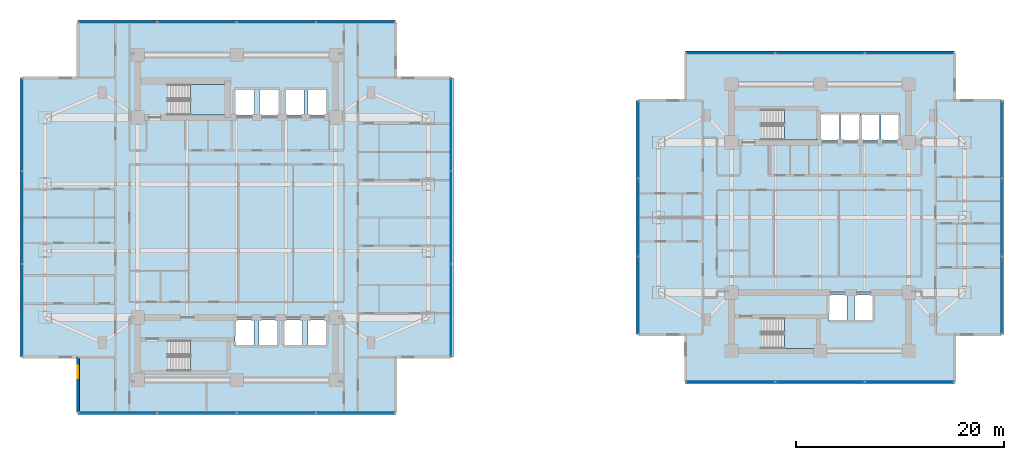
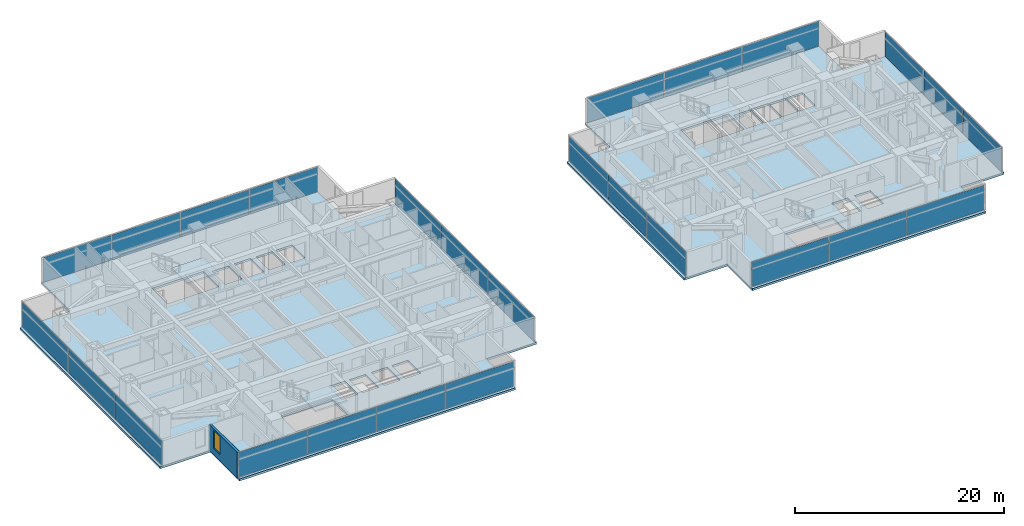
# One storey, part 13 of 27: 26 plates, 6 slabs, 1 wall, 1 window, 1 opening, 12 elements without a shape of their own.
"""IFC4 building model written with IfcOpenShell, lengths in metres."""

from ifc_helpers import new_model, si_unit, direction, frame, frame_2d, origin, origin_2d, place, context, subcontext, project, spatial, polyline, rectangle, outline, extrude, material, layer, layer_set, type_object, element, fill, aggregate, save


model = new_model("IFC4")

# Units and contexts
model_context = context("Model", 3, precision=1e-05, world=origin(), true_north=direction((0.0, 1.0)))
body_context = subcontext(model_context, "Body", "Model", "MODEL_VIEW")
ifc_project = project(units=[si_unit("LENGTHUNIT", "METRE"), si_unit("AREAUNIT", "SQUARE_METRE"), si_unit("VOLUMEUNIT", "CUBIC_METRE"), si_unit("PLANEANGLEUNIT", "RADIAN"), si_unit("MASSUNIT", "GRAM", prefix="KILO")], contexts=[model_context])

# Site, building, storey
site_placement = place(None, origin())
site = spatial("IfcSite", under=ifc_project, at=site_placement, CompositionType="ELEMENT")
building_placement = place(site_placement, origin())
building = spatial("IfcBuilding", under=site, at=building_placement, Name="Mirazonda Arch Towers", CompositionType="ELEMENT")
storey_placement = place(building_placement, frame((0.0, 0.0, 52.10009765625)))
storey = spatial("IfcBuildingStorey", under=building, at=storey_placement, Name="L14", CompositionType="ELEMENT", Elevation=52.10009765625)

# Curtain wall, plates
ifc_material_1 = material(Name="Anodised Aluminium and Low-E Glass", Category="aluminium")
curtain_wall_type = type_object("IfcCurtainWallType", Name="CW-HTL-UNIT", PredefinedType="NOTDEFINED", material=ifc_material_1)
curtain_wall_1_placement = place(storey_placement, origin())
curtain_wall_1 = element("IfcCurtainWall", 1, at=curtain_wall_1_placement, inside=storey, type_object=curtain_wall_type, Name="L14 T1 S Facade CW-L14-T1-S", PredefinedType="NOTDEFINED")
ifc_material_2 = material(Name="Insulated Low-E Solar Glass", Category="glass")
ifc_layer_1 = layer(ifc_material_2, 0.035888671875, Name="PAN-CW-HTL-UNIT")
ifc_layer_set_1 = layer_set([ifc_layer_1], Name="Insulated Low-E Solar Glass")
plate_type = type_object("IfcPlateType", Name="PAN-CW-HTL-UNIT", PredefinedType="CURTAIN_PANEL", material=ifc_layer_set_1)
plate_1_placement = place(storey_placement, frame((31.9111328125, 9.260009765625, 0.0751953125), z_axis=(0.0, 0.0, 1.0), x_axis=(-1.0, 0.0, 0.0)))
plate_1 = element("IfcPlate", 2, at=plate_1_placement, type_object=plate_type, Name="CW-112 panel 1.1", PredefinedType="CURTAIN_PANEL", context=body_context, shape_type="SweptSolid", body=[
    extrude(rectangle(XDim=7.507568359375, YDim=0.035888671875, at=origin_2d()), origin(), (0.0, 0.0, 1.0), 2.889892578125),
])
plate_2_placement = place(storey_placement, frame((24.31005859375, 9.260009765625, 0.0751953125), z_axis=(0.0, 0.0, 1.0), x_axis=(-1.0, 0.0, 0.0)))
plate_2 = element("IfcPlate", 3, at=plate_2_placement, type_object=plate_type, Name="CW-112 panel 2.1", PredefinedType="CURTAIN_PANEL", context=body_context, shape_type="SweptSolid", body=[
    extrude(rectangle(XDim=7.544921875, YDim=0.035888671875, at=origin_2d()), origin(), (0.0, 0.0, 1.0), 2.889892578125),
])
plate_3_placement = place(storey_placement, frame((16.68994140625, 9.260009765625, 0.0751953125), z_axis=(0.0, 0.0, 1.0), x_axis=(-1.0, 0.0, 0.0)))
plate_3 = element("IfcPlate", 4, at=plate_3_placement, type_object=plate_type, Name="CW-112 panel 3.1", PredefinedType="CURTAIN_PANEL", context=body_context, shape_type="SweptSolid", body=[
    extrude(rectangle(XDim=7.544921875, YDim=0.035888671875, at=origin_2d()), origin(), (0.0, 0.0, 1.0), 2.889892578125),
])
plate_4_placement = place(storey_placement, frame((9.0888671875, 9.260009765625, 0.0751953125), z_axis=(0.0, 0.0, 1.0), x_axis=(-1.0, 0.0, 0.0)))
plate_4 = element("IfcPlate", 5, at=plate_4_placement, type_object=plate_type, Name="CW-112 panel 4.1", PredefinedType="CURTAIN_PANEL", context=body_context, shape_type="SweptSolid", body=[
    extrude(rectangle(XDim=7.507568359375, YDim=0.035888671875, at=origin_2d()), origin(), (0.0, 0.0, 1.0), 2.889892578125),
])
aggregate(curtain_wall_1, [plate_1, plate_2, plate_3, plate_4])

curtain_wall_2_placement = place(storey_placement, origin())
curtain_wall_2 = element("IfcCurtainWall", 6, at=curtain_wall_2_placement, inside=storey, type_object=curtain_wall_type, Name="L14 T1 E Facade CW-L14-T1-E", PredefinedType="NOTDEFINED")
plate_5_placement = place(storey_placement, frame((41.080078125, 19.08544921875, 0.0751953125), z_axis=(0.0, 0.0, 1.0), x_axis=(0.0, 1.0, 0.0)))
plate_5 = element("IfcPlate", 7, at=plate_5_placement, type_object=plate_type, Name="CW-112 panel 1.1", PredefinedType="CURTAIN_PANEL", context=body_context, shape_type="SweptSolid", body=[
    extrude(rectangle(XDim=8.82080078125, YDim=0.035888671875, at=origin_2d()), origin(), (0.0, 0.0, 1.0), 2.889892578125),
])
plate_6_placement = place(storey_placement, frame((41.080078125, 28.0, 0.0751953125), z_axis=(0.0, 0.0, 1.0), x_axis=(0.0, 1.0, 0.0)))
plate_6 = element("IfcPlate", 8, at=plate_6_placement, type_object=plate_type, Name="CW-112 panel 2.1", PredefinedType="CURTAIN_PANEL", context=body_context, shape_type="SweptSolid", body=[
    extrude(rectangle(XDim=8.8583984375, YDim=0.035888671875, at=origin_2d()), origin(), (0.0, 0.0, 1.0), 2.889892578125),
])
plate_7_placement = place(storey_placement, frame((41.080078125, 36.91455078125, 0.0751953125), z_axis=(0.0, 0.0, 1.0), x_axis=(0.0, 1.0, 0.0)))
plate_7 = element("IfcPlate", 9, at=plate_7_placement, type_object=plate_type, Name="CW-112 panel 3.1", PredefinedType="CURTAIN_PANEL", context=body_context, shape_type="SweptSolid", body=[
    extrude(rectangle(XDim=8.82080078125, YDim=0.035888671875, at=origin_2d()), origin(), (0.0, 0.0, 1.0), 2.889892578125),
])
aggregate(curtain_wall_2, [plate_5, plate_6, plate_7])

curtain_wall_3_placement = place(storey_placement, origin())
curtain_wall_3 = element("IfcCurtainWall", 10, at=curtain_wall_3_placement, inside=storey, type_object=curtain_wall_type, Name="L14 T1 N Facade CW-L14-T1-N", PredefinedType="NOTDEFINED")
plate_8_placement = place(storey_placement, frame((9.0888671875, 46.739990234375, 0.0751953125), z_axis=(0.0, 0.0, 1.0), x_axis=(1.0, 0.0, 0.0)))
plate_8 = element("IfcPlate", 11, at=plate_8_placement, type_object=plate_type, Name="CW-112 panel 1.1", PredefinedType="CURTAIN_PANEL", context=body_context, shape_type="SweptSolid", body=[
    extrude(rectangle(XDim=7.507568359375, YDim=0.035888671875, at=origin_2d()), origin(), (0.0, 0.0, 1.0), 2.889892578125),
])
plate_9_placement = place(storey_placement, frame((16.68994140625, 46.739990234375, 0.0751953125), z_axis=(0.0, 0.0, 1.0), x_axis=(1.0, 0.0, 0.0)))
plate_9 = element("IfcPlate", 12, at=plate_9_placement, type_object=plate_type, Name="CW-112 panel 2.1", PredefinedType="CURTAIN_PANEL", context=body_context, shape_type="SweptSolid", body=[
    extrude(rectangle(XDim=7.544921875, YDim=0.035888671875, at=origin_2d()), origin(), (0.0, 0.0, 1.0), 2.889892578125),
])
plate_10_placement = place(storey_placement, frame((24.31005859375, 46.739990234375, 0.0751953125), z_axis=(0.0, 0.0, 1.0), x_axis=(1.0, 0.0, 0.0)))
plate_10 = element("IfcPlate", 13, at=plate_10_placement, type_object=plate_type, Name="CW-112 panel 3.1", PredefinedType="CURTAIN_PANEL", context=body_context, shape_type="SweptSolid", body=[
    extrude(rectangle(XDim=7.544921875, YDim=0.035888671875, at=origin_2d()), origin(), (0.0, 0.0, 1.0), 2.889892578125),
])
plate_11_placement = place(storey_placement, frame((31.9111328125, 46.739990234375, 0.0751953125), z_axis=(0.0, 0.0, 1.0), x_axis=(1.0, 0.0, 0.0)))
plate_11 = element("IfcPlate", 14, at=plate_11_placement, type_object=plate_type, Name="CW-112 panel 4.1", PredefinedType="CURTAIN_PANEL", context=body_context, shape_type="SweptSolid", body=[
    extrude(rectangle(XDim=7.507568359375, YDim=0.035888671875, at=origin_2d()), origin(), (0.0, 0.0, 1.0), 2.889892578125),
])
aggregate(curtain_wall_3, [plate_8, plate_9, plate_10, plate_11])

curtain_wall_4_placement = place(storey_placement, origin())
curtain_wall_4 = element("IfcCurtainWall", 15, at=curtain_wall_4_placement, inside=storey, type_object=curtain_wall_type, Name="L14 T1 W Facade CW-L14-T1-W", PredefinedType="NOTDEFINED")
plate_12_placement = place(storey_placement, frame((-0.080078125, 36.91455078125, 0.0751953125), z_axis=(0.0, 0.0, 1.0), x_axis=(0.0, -1.0, 0.0)))
plate_12 = element("IfcPlate", 16, at=plate_12_placement, type_object=plate_type, Name="CW-112 panel 1.1", PredefinedType="CURTAIN_PANEL", context=body_context, shape_type="SweptSolid", body=[
    extrude(rectangle(XDim=8.82080078125, YDim=0.035888671875, at=origin_2d()), origin(), (0.0, 0.0, 1.0), 2.889892578125),
])
plate_13_placement = place(storey_placement, frame((-0.080078125, 28.0, 0.0751953125), z_axis=(0.0, 0.0, 1.0), x_axis=(0.0, -1.0, 0.0)))
plate_13 = element("IfcPlate", 17, at=plate_13_placement, type_object=plate_type, Name="CW-112 panel 2.1", PredefinedType="CURTAIN_PANEL", context=body_context, shape_type="SweptSolid", body=[
    extrude(rectangle(XDim=8.8583984375, YDim=0.035888671875, at=origin_2d()), origin(), (0.0, 0.0, 1.0), 2.889892578125),
])
plate_14_placement = place(storey_placement, frame((-0.080078125, 19.08544921875, 0.0751953125), z_axis=(0.0, 0.0, 1.0), x_axis=(0.0, -1.0, 0.0)))
plate_14 = element("IfcPlate", 18, at=plate_14_placement, type_object=plate_type, Name="CW-112 panel 3.1", PredefinedType="CURTAIN_PANEL", context=body_context, shape_type="SweptSolid", body=[
    extrude(rectangle(XDim=8.82080078125, YDim=0.035888671875, at=origin_2d()), origin(), (0.0, 0.0, 1.0), 2.889892578125),
])
aggregate(curtain_wall_4, [plate_12, plate_13, plate_14])

curtain_wall_5_placement = place(storey_placement, origin())
curtain_wall_5 = element("IfcCurtainWall", 19, at=curtain_wall_5_placement, inside=storey, type_object=curtain_wall_type, Name="L14 T2 S Facade CW-L14-T2-S", PredefinedType="NOTDEFINED")
plate_15_placement = place(storey_placement, frame((85.0771484375, 12.22412109375, 0.0751953125), z_axis=(0.0, 0.0, 1.0), x_axis=(-1.0, 0.0, 0.0)))
plate_15 = element("IfcPlate", 20, at=plate_15_placement, type_object=plate_type, Name="CW-112 panel 1.1", PredefinedType="CURTAIN_PANEL", context=body_context, shape_type="SweptSolid", body=[
    extrude(rectangle(XDim=8.4833984375, YDim=0.035888671875, at=origin_2d()), origin(), (0.0, 0.0, 1.0), 2.889892578125),
])
plate_16_placement = place(storey_placement, frame((76.5, 12.22412109375, 0.0751953125), z_axis=(0.0, 0.0, 1.0), x_axis=(-1.0, 0.0, 0.0)))
plate_16 = element("IfcPlate", 21, at=plate_16_placement, type_object=plate_type, Name="CW-112 panel 2.1", PredefinedType="CURTAIN_PANEL", context=body_context, shape_type="SweptSolid", body=[
    extrude(rectangle(XDim=8.52099609375, YDim=0.035888671875, at=origin_2d()), origin(), (0.0, 0.0, 1.0), 2.889892578125),
])
plate_17_placement = place(storey_placement, frame((67.9228515625, 12.22412109375, 0.0751953125), z_axis=(0.0, 0.0, 1.0), x_axis=(-1.0, 0.0, 0.0)))
plate_17 = element("IfcPlate", 22, at=plate_17_placement, type_object=plate_type, Name="CW-112 panel 3.1", PredefinedType="CURTAIN_PANEL", context=body_context, shape_type="SweptSolid", body=[
    extrude(rectangle(XDim=8.4833984375, YDim=0.035888671875, at=origin_2d()), origin(), (0.0, 0.0, 1.0), 2.889892578125),
])
aggregate(curtain_wall_5, [plate_15, plate_16, plate_17])

curtain_wall_6_placement = place(storey_placement, origin())
curtain_wall_6 = element("IfcCurtainWall", 23, at=curtain_wall_6_placement, inside=storey, type_object=curtain_wall_type, Name="L14 T2 E Facade CW-L14-T2-E", PredefinedType="NOTDEFINED")
plate_18_placement = place(storey_placement, frame((93.93994140625, 20.531982421875, 0.0751953125), z_axis=(0.0, 0.0, 1.0), x_axis=(0.0, 1.0, 0.0)))
plate_18 = element("IfcPlate", 24, at=plate_18_placement, type_object=plate_type, Name="CW-112 panel 1.1", PredefinedType="CURTAIN_PANEL", context=body_context, shape_type="SweptSolid", body=[
    extrude(rectangle(XDim=7.374267578125, YDim=0.035888671875, at=origin_2d()), origin(), (0.0, 0.0, 1.0), 2.889892578125),
])
plate_19_placement = place(storey_placement, frame((93.93994140625, 28.0, 0.0751953125), z_axis=(0.0, 0.0, 1.0), x_axis=(0.0, 1.0, 0.0)))
plate_19 = element("IfcPlate", 25, at=plate_19_placement, type_object=plate_type, Name="CW-112 panel 2.1", PredefinedType="CURTAIN_PANEL", context=body_context, shape_type="SweptSolid", body=[
    extrude(rectangle(XDim=7.41162109375, YDim=0.035888671875, at=origin_2d()), origin(), (0.0, 0.0, 1.0), 2.889892578125),
])
plate_20_placement = place(storey_placement, frame((93.93994140625, 35.468017578125, 0.0751953125), z_axis=(0.0, 0.0, 1.0), x_axis=(0.0, 1.0, 0.0)))
plate_20 = element("IfcPlate", 26, at=plate_20_placement, type_object=plate_type, Name="CW-112 panel 3.1", PredefinedType="CURTAIN_PANEL", context=body_context, shape_type="SweptSolid", body=[
    extrude(rectangle(XDim=7.374267578125, YDim=0.035888671875, at=origin_2d()), origin(), (0.0, 0.0, 1.0), 2.889892578125),
])
aggregate(curtain_wall_6, [plate_18, plate_19, plate_20])

curtain_wall_7_placement = place(storey_placement, origin())
curtain_wall_7 = element("IfcCurtainWall", 27, at=curtain_wall_7_placement, inside=storey, type_object=curtain_wall_type, Name="L14 T2 N Facade CW-L14-T2-N", PredefinedType="NOTDEFINED")
plate_21_placement = place(storey_placement, frame((67.9228515625, 43.77587890625, 0.0751953125), z_axis=(0.0, 0.0, 1.0), x_axis=(1.0, 0.0, 0.0)))
plate_21 = element("IfcPlate", 28, at=plate_21_placement, type_object=plate_type, Name="CW-112 panel 1.1", PredefinedType="CURTAIN_PANEL", context=body_context, shape_type="SweptSolid", body=[
    extrude(rectangle(XDim=8.4833984375, YDim=0.035888671875, at=origin_2d()), origin(), (0.0, 0.0, 1.0), 2.889892578125),
])
plate_22_placement = place(storey_placement, frame((76.5, 43.77587890625, 0.0751953125), z_axis=(0.0, 0.0, 1.0), x_axis=(1.0, 0.0, 0.0)))
plate_22 = element("IfcPlate", 29, at=plate_22_placement, type_object=plate_type, Name="CW-112 panel 2.1", PredefinedType="CURTAIN_PANEL", context=body_context, shape_type="SweptSolid", body=[
    extrude(rectangle(XDim=8.52099609375, YDim=0.035888671875, at=origin_2d()), origin(), (0.0, 0.0, 1.0), 2.889892578125),
])
plate_23_placement = place(storey_placement, frame((85.0771484375, 43.77587890625, 0.0751953125), z_axis=(0.0, 0.0, 1.0), x_axis=(1.0, 0.0, 0.0)))
plate_23 = element("IfcPlate", 30, at=plate_23_placement, type_object=plate_type, Name="CW-112 panel 3.1", PredefinedType="CURTAIN_PANEL", context=body_context, shape_type="SweptSolid", body=[
    extrude(rectangle(XDim=8.4833984375, YDim=0.035888671875, at=origin_2d()), origin(), (0.0, 0.0, 1.0), 2.889892578125),
])
aggregate(curtain_wall_7, [plate_21, plate_22, plate_23])

curtain_wall_8_placement = place(storey_placement, origin())
curtain_wall_8 = element("IfcCurtainWall", 31, at=curtain_wall_8_placement, inside=storey, type_object=curtain_wall_type, Name="L14 T2 W Facade CW-L14-T2-W", PredefinedType="NOTDEFINED")
plate_24_placement = place(storey_placement, frame((59.06005859375, 35.468017578125, 0.0751953125), z_axis=(0.0, 0.0, 1.0), x_axis=(0.0, -1.0, 0.0)))
plate_24 = element("IfcPlate", 32, at=plate_24_placement, type_object=plate_type, Name="CW-112 panel 1.1", PredefinedType="CURTAIN_PANEL", context=body_context, shape_type="SweptSolid", body=[
    extrude(rectangle(XDim=7.374267578125, YDim=0.035888671875, at=origin_2d()), origin(), (0.0, 0.0, 1.0), 2.889892578125),
])
plate_25_placement = place(storey_placement, frame((59.06005859375, 28.0, 0.0751953125), z_axis=(0.0, 0.0, 1.0), x_axis=(0.0, -1.0, 0.0)))
plate_25 = element("IfcPlate", 33, at=plate_25_placement, type_object=plate_type, Name="CW-112 panel 2.1", PredefinedType="CURTAIN_PANEL", context=body_context, shape_type="SweptSolid", body=[
    extrude(rectangle(XDim=7.41162109375, YDim=0.035888671875, at=origin_2d()), origin(), (0.0, 0.0, 1.0), 2.889892578125),
])
plate_26_placement = place(storey_placement, frame((59.06005859375, 20.531982421875, 0.0751953125), z_axis=(0.0, 0.0, 1.0), x_axis=(0.0, -1.0, 0.0)))
plate_26 = element("IfcPlate", 34, at=plate_26_placement, type_object=plate_type, Name="CW-112 panel 3.1", PredefinedType="CURTAIN_PANEL", context=body_context, shape_type="SweptSolid", body=[
    extrude(rectangle(XDim=7.374267578125, YDim=0.035888671875, at=origin_2d()), origin(), (0.0, 0.0, 1.0), 2.889892578125),
])
aggregate(curtain_wall_8, [plate_24, plate_25, plate_26])

# Stair, slab
ifc_material_3 = material(Name="Concrete C40/50", Category="concrete")
stair_type = type_object("IfcStairType", Name="STAIR-CORE-1400", PredefinedType="HALF_TURN_STAIR", material=ifc_material_3)
stair_1_placement = place(storey_placement, origin())
stair_1 = element("IfcStair", 35, at=stair_1_placement, inside=storey, type_object=stair_type, Name="L14 Protected Exit Stair ST-T1N", PredefinedType="HALF_TURN_STAIR")
ifc_layer_2 = layer(ifc_material_3, 0.18994140625, Name="SLAB-LANDING-190")
ifc_layer_set_2 = layer_set([ifc_layer_2], Name="Concrete C40/50")
slab_type_1 = type_object("IfcSlabType", Name="SLAB-LANDING-190", PredefinedType="LANDING", material=ifc_layer_set_2)
slab_1_placement = place(storey_placement, frame((0.0, 0.0, 1.449951171875)))
slab_1 = element("IfcSlab", 36, at=slab_1_placement, type_object=slab_type_1, Name="ST-T1N landing 1", PredefinedType="LANDING", context=body_context, shape_type="SweptSolid", body=[
    extrude(outline(polyline([(16.090087890625, 37.820068359375), (19.60009765625, 37.820068359375), (19.60009765625, 40.760009765625), (16.090087890625, 40.760009765625), (16.090087890625, 37.820068359375)])), origin(), (0.0, 0.0, 1.0), 0.199951171875),
])
aggregate(stair_1, [slab_1])

stair_2_placement = place(storey_placement, origin())
stair_2 = element("IfcStair", 37, at=stair_2_placement, inside=storey, type_object=stair_type, Name="L14 Protected Exit Stair ST-T1S", PredefinedType="HALF_TURN_STAIR")
slab_2_placement = place(storey_placement, frame((0.0, 0.0, 1.449951171875)))
slab_2 = element("IfcSlab", 38, at=slab_2_placement, type_object=slab_type_1, Name="ST-T1S landing 1", PredefinedType="LANDING", context=body_context, shape_type="SweptSolid", body=[
    extrude(outline(polyline([(16.090087890625, 13.25), (19.60009765625, 13.25), (19.60009765625, 16.18994140625), (16.090087890625, 16.18994140625), (16.090087890625, 13.25)])), origin(), (0.0, 0.0, 1.0), 0.199951171875),
])
aggregate(stair_2, [slab_2])

stair_3_placement = place(storey_placement, origin())
stair_3 = element("IfcStair", 39, at=stair_3_placement, inside=storey, type_object=stair_type, Name="L14 Protected Exit Stair ST-T2N", PredefinedType="HALF_TURN_STAIR")
slab_3_placement = place(storey_placement, frame((0.0, 0.0, 1.449951171875)))
slab_3 = element("IfcSlab", 40, at=slab_3_placement, type_object=slab_type_1, Name="ST-T2N landing 1", PredefinedType="LANDING", context=body_context, shape_type="SweptSolid", body=[
    extrude(outline(polyline([(73.090087890625, 35.419921875), (76.22998046875, 35.419921875), (76.22998046875, 38.360107421875), (73.090087890625, 38.360107421875), (73.090087890625, 35.419921875)])), origin(), (0.0, 0.0, 1.0), 0.199951171875),
])
aggregate(stair_3, [slab_3])

stair_4_placement = place(storey_placement, origin())
stair_4 = element("IfcStair", 41, at=stair_4_placement, inside=storey, type_object=stair_type, Name="L14 Protected Exit Stair ST-T2S", PredefinedType="HALF_TURN_STAIR")
slab_4_placement = place(storey_placement, frame((0.0, 0.0, 1.449951171875)))
slab_4 = element("IfcSlab", 42, at=slab_4_placement, type_object=slab_type_1, Name="ST-T2S landing 1", PredefinedType="LANDING", context=body_context, shape_type="SweptSolid", body=[
    extrude(outline(polyline([(73.090087890625, 15.419921875), (76.22998046875, 15.419921875), (76.22998046875, 18.360107421875), (73.090087890625, 18.360107421875), (73.090087890625, 15.419921875)])), origin(), (0.0, 0.0, 1.0), 0.199951171875),
])
aggregate(stair_4, [slab_4])

# Slabs
ifc_layer_3 = layer(ifc_material_3, 0.239990234375, Name="SLAB-TWR-240")
ifc_layer_set_3 = layer_set([ifc_layer_3], Name="Concrete C40/50")
slab_type_2 = type_object("IfcSlabType", Name="SLAB-TWR-240", PredefinedType="FLOOR", material=ifc_layer_set_3)
slab_5_placement = place(storey_placement, frame((0.0, 0.0, -0.239990234375)))
element("IfcSlab", 43, at=slab_5_placement, inside=storey, type_object=slab_type_2, Name="L14 Tower 1 Floor Slab", PredefinedType="FLOOR", context=body_context, shape_type="SweptSolid", body=[
    extrude(outline(polyline([(5.260009765625, 9.0400390625), (35.739990234375, 9.0400390625), (35.739990234375, 14.60009765625), (41.300048828125, 14.60009765625), (41.300048828125, 41.39990234375), (35.739990234375, 41.39990234375), (35.739990234375, 46.9599609375), (5.260009765625, 46.9599609375), (5.260009765625, 41.39990234375), (-0.300048828125, 41.39990234375), (-0.300048828125, 14.60009765625), (5.260009765625, 14.60009765625), (5.260009765625, 9.0400390625)]), holes=[polyline([(29.139892578125, 18.139892578125), (29.139892578125, 15.659912109375), (27.360107421875, 15.659912109375), (27.360107421875, 18.139892578125), (29.139892578125, 18.139892578125)]), polyline([(29.139892578125, 40.340087890625), (29.139892578125, 37.860107421875), (27.360107421875, 37.860107421875), (27.360107421875, 40.340087890625), (29.139892578125, 40.340087890625)]), polyline([(25.159912109375, 40.340087890625), (26.93994140625, 40.340087890625), (26.93994140625, 37.860107421875), (25.159912109375, 37.860107421875), (25.159912109375, 40.340087890625)]), polyline([(26.840087890625, 18.139892578125), (26.840087890625, 15.659912109375), (25.06005859375, 15.659912109375), (25.06005859375, 18.139892578125), (26.840087890625, 18.139892578125)]), polyline([(22.7099609375, 40.389892578125), (24.590087890625, 40.389892578125), (24.590087890625, 37.81005859375), (22.7099609375, 37.81005859375), (22.7099609375, 40.389892578125)]), polyline([(22.659912109375, 18.139892578125), (24.43994140625, 18.139892578125), (24.43994140625, 15.659912109375), (22.659912109375, 15.659912109375), (22.659912109375, 18.139892578125)]), polyline([(20.31005859375, 40.340087890625), (22.18994140625, 40.340087890625), (22.18994140625, 37.860107421875), (20.31005859375, 37.860107421875), (20.31005859375, 40.340087890625)]), polyline([(20.360107421875, 18.139892578125), (22.139892578125, 18.139892578125), (22.139892578125, 15.659912109375), (20.360107421875, 15.659912109375), (20.360107421875, 18.139892578125)]), polyline([(13.925048828125, 40.760009765625), (19.60009765625, 40.760009765625), (19.60009765625, 37.820068359375), (13.925048828125, 37.820068359375), (13.925048828125, 40.760009765625)]), polyline([(13.925048828125, 13.25), (13.925048828125, 16.18994140625), (19.60009765625, 16.18994140625), (19.60009765625, 13.25), (13.925048828125, 13.25)])]), origin(), (0.0, 0.0, 1.0), 0.239990234375),
])
slab_6_placement = place(storey_placement, frame((0.0, 0.0, -0.239990234375)))
element("IfcSlab", 44, at=slab_6_placement, inside=storey, type_object=slab_type_2, Name="L14 Tower 2 Floor Slab", PredefinedType="FLOOR", context=body_context, shape_type="SweptSolid", body=[
    extrude(outline(polyline([(63.60595703125, 12.00390625), (89.39404296875, 12.00390625), (89.39404296875, 16.77001953125), (94.159912109375, 16.77001953125), (94.159912109375, 39.22998046875), (89.39404296875, 39.22998046875), (89.39404296875, 43.99609375), (63.60595703125, 43.99609375), (63.60595703125, 39.22998046875), (58.840087890625, 39.22998046875), (58.840087890625, 16.77001953125), (63.60595703125, 16.77001953125), (63.60595703125, 12.00390625)]), holes=[polyline([(82.330078125, 37.93994140625), (84.110107421875, 37.93994140625), (84.110107421875, 35.4599609375), (82.330078125, 35.4599609375), (82.330078125, 37.93994140625)]), polyline([(80.449951171875, 37.93994140625), (82.22998046875, 37.93994140625), (82.22998046875, 35.4599609375), (80.449951171875, 35.4599609375), (80.449951171875, 37.93994140625)]), polyline([(79.81005859375, 20.5400390625), (81.590087890625, 20.5400390625), (81.590087890625, 18.06005859375), (79.81005859375, 18.06005859375), (79.81005859375, 20.5400390625)]), polyline([(78.47998046875, 37.989990234375), (80.360107421875, 37.989990234375), (80.360107421875, 35.409912109375), (78.47998046875, 35.409912109375), (78.47998046875, 37.989990234375)]), polyline([(77.31005859375, 20.5400390625), (79.090087890625, 20.5400390625), (79.090087890625, 18.06005859375), (77.31005859375, 18.06005859375), (77.31005859375, 20.5400390625)]), polyline([(76.510009765625, 37.93994140625), (78.389892578125, 37.93994140625), (78.389892578125, 35.4599609375), (76.510009765625, 35.4599609375), (76.510009765625, 37.93994140625)]), polyline([(70.925048828125, 15.419921875), (70.925048828125, 18.360107421875), (76.22998046875, 18.360107421875), (76.22998046875, 15.419921875), (70.925048828125, 15.419921875)]), polyline([(70.925048828125, 35.419921875), (70.925048828125, 38.360107421875), (76.22998046875, 38.360107421875), (76.22998046875, 35.419921875), (70.925048828125, 35.419921875)])]), origin(), (0.0, 0.0, 1.0), 0.239990234375),
])

# Wall, opening, window
ifc_material_4 = material(Name="Precast Concrete C40/50", Category="concrete")
ifc_layer_4 = layer(ifc_material_4, 0.280029296875, Name="WALL-EXT-WALL-280")
ifc_layer_set_4 = layer_set([ifc_layer_4], Name="Precast Concrete C40/50")
wall_type = type_object("IfcWallType", Name="WALL-EXT-WALL-280", PredefinedType="SOLIDWALL", material=ifc_layer_set_4)
wall_placement = place(storey_placement, frame((5.260009765625, 14.60009765625, 0.0), z_axis=(0.0, 0.0, 1.0), x_axis=(0.0, -1.0, 0.0)))
wall = element("IfcWall", 45, at=wall_placement, inside=storey, type_object=wall_type, Name="L14 T1 Notched SW Corner Wall WL-L14-T1-CSW", PredefinedType="SOLIDWALL", context=body_context, shape_type="SweptSolid", body=[
    extrude(rectangle(XDim=5.340087890625, YDim=0.280029296875, at=frame_2d((2.669921875, 0.0))), origin(), (0.0, 0.0, 1.0), 3.039794921875),
])
opening_placement = place(wall_placement, frame((0.85009765625, 0.0, 0.7900390625)))
opening = element("IfcOpeningElement", 46, at=opening_placement, cuts=wall, Name="Opening WN-122", PredefinedType="OPENING", context=body_context, shape_type="SweptSolid", body=[
    extrude(rectangle(XDim=1.199951171875, YDim=2.10009765625, at=frame_2d((0.60009765625, 1.050048828125))), frame((0.0, 0.14990234375, 0.0), z_axis=(0.0, -1.0, 0.0), x_axis=(1.0, 0.0, 0.0)), (0.0, 0.0, 1.0), 0.300048828125),
])
window_type = type_object("IfcWindowType", Name="WIN-HTL-1200x2100", PartitioningType="SINGLE_PANEL", PredefinedType="WINDOW", material=ifc_material_2)
window_placement = place(opening_placement, origin())
window = element("IfcWindow", 47, at=window_placement, inside=storey, type_object=window_type, Name="L14 Punched Facade Window WN-L14-T1-CSW", OverallHeight=2.10009765625, OverallWidth=1.199951171875, PartitioningType="SINGLE_PANEL", PredefinedType="WINDOW", context=body_context, shape_type="SweptSolid", body=[
    extrude(rectangle(XDim=1.199951171875, YDim=2.10009765625, at=frame_2d((0.60009765625, 1.050048828125))), frame((0.0, 0.030029296875, 0.0), z_axis=(0.0, -1.0, 0.0), x_axis=(1.0, 0.0, 0.0)), (0.0, 0.0, 1.0), 0.06005859375),
])
fill(opening, window)

save(model, "model.ifc")
